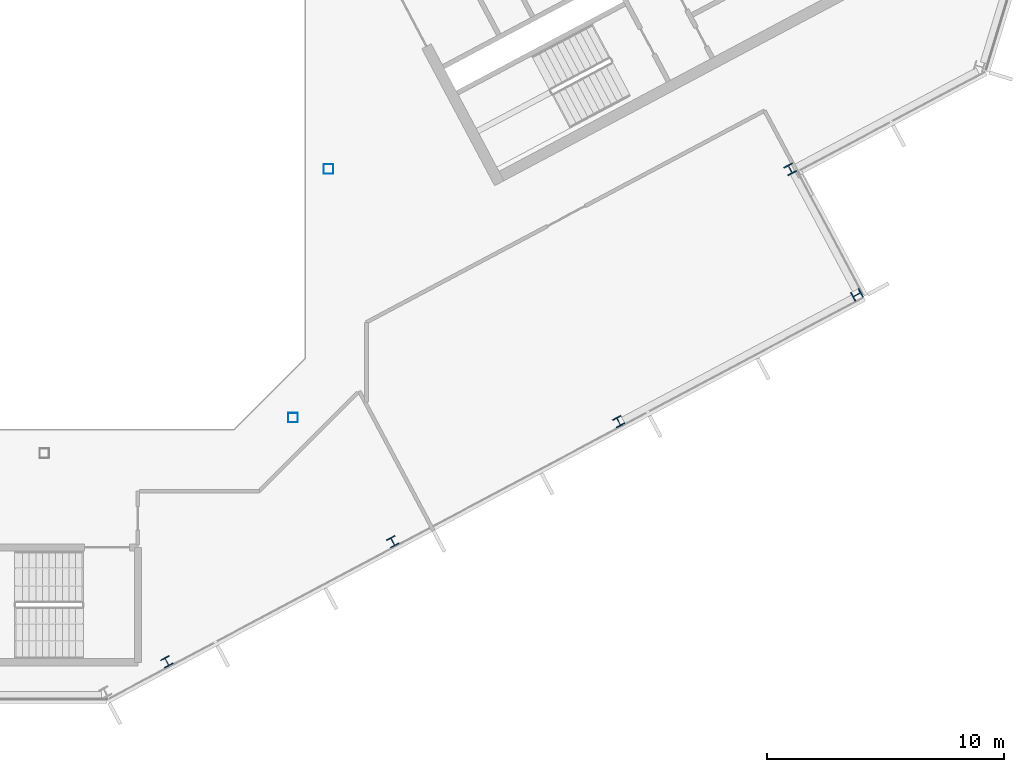
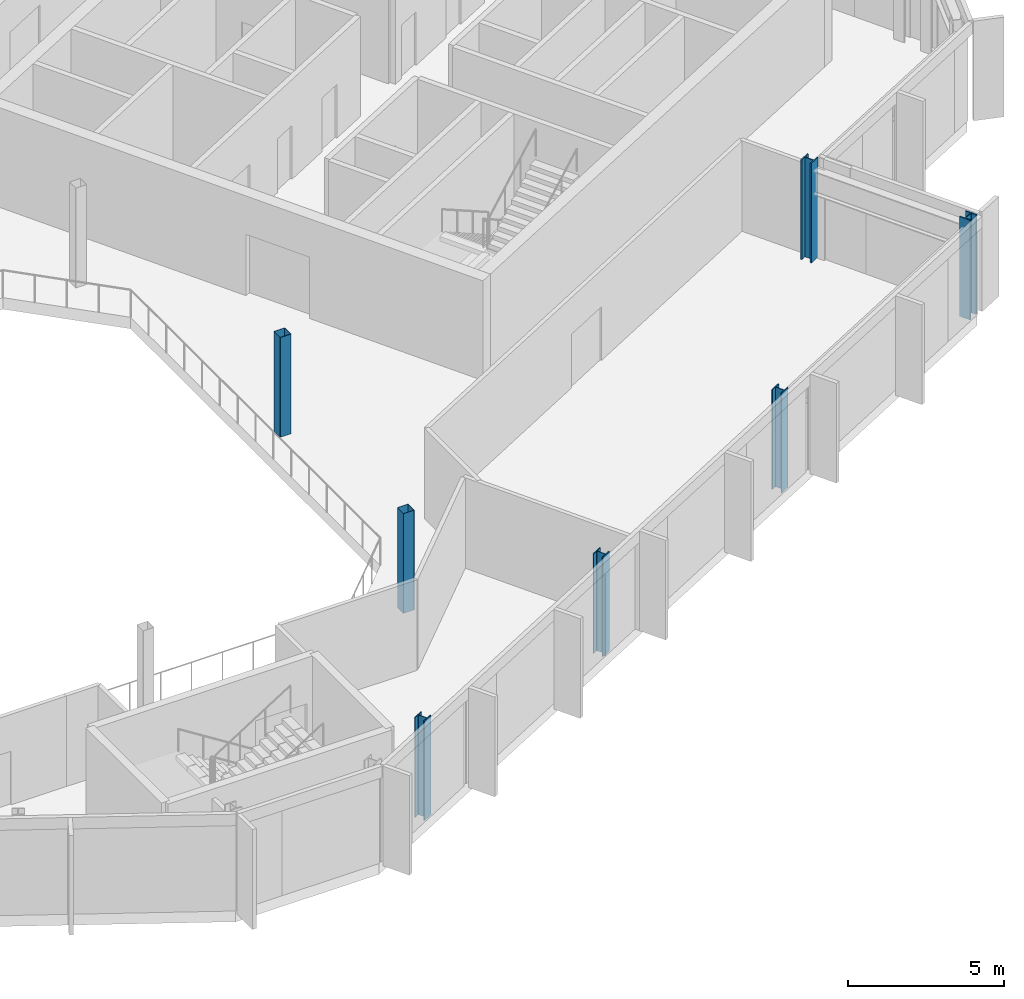
# One storey, part 5 of 26: 7 columns.
"""IFC4 building model written with IfcOpenShell, lengths in metres."""

import ifcopenshell
import ifcopenshell.guid

model = None  # the IFC model being written
_history = None  # IfcOwnerHistory: only IFC2X3 demands one
_inside = {}  # id of a spatial element -> (the spatial element, [elements in it])
_under = {}  # id of a project, library or spatial element -> (it, [spatial elements below it])
_declared = {}  # id of a project -> (the project, [libraries it declares])
_typed = {}  # id of a type object -> (the type object, [elements of that type])
_made_of = {}  # id of a material, layer set ... -> (it, [elements and type objects made of it])


def new_model(schema):
    """Start an empty IFC model of exactly this schema.

    Asked for "IFC4X3", IfcOpenShell would pick the latest addendum, in which some entities
    have other attributes; the version numbers below select the first issue.
    IFC2X3 requires an IfcOwnerHistory on every rooted entity: one is made here for all.
    """
    global model, _history
    if schema == "IFC4X3":
        model = ifcopenshell.file(schema_version=(4, 3, 0, 0))
    else:
        model = ifcopenshell.file(schema=schema)
    _inside.clear()
    _under.clear()
    _declared.clear()
    _typed.clear()
    _made_of.clear()
    _history = None
    if model.schema == "IFC2X3":
        org = make("IfcOrganization", Name="unknown")
        user = make(
            "IfcPersonAndOrganization",
            ThePerson=make("IfcPerson", FamilyName="unknown"),
            TheOrganization=org,
        )
        app = make(
            "IfcApplication",
            ApplicationDeveloper=org,
            Version="unknown",
            ApplicationFullName="unknown",
            ApplicationIdentifier="unknown",
        )
        _history = make(
            "IfcOwnerHistory",
            OwningUser=user,
            OwningApplication=app,
            ChangeAction="ADDED",
            CreationDate=0,
        )
    return model


def make(cls, **values):
    """One entity of the class cls with the attributes given. An attribute that is None is left unset."""
    return model.create_entity(
        cls, **{name: value for name, value in values.items() if value is not None}
    )


def rooted(cls, **values):
    """An entity with a GlobalId (a new one), such as an element, a storey or a relation."""
    return make(cls, GlobalId=ifcopenshell.guid.new(), OwnerHistory=_history, **values)


def si_unit(unit_type, name, prefix=None):
    """IfcSIUnit, for example si_unit("LENGTHUNIT", "METRE", prefix="MILLI")."""
    return make("IfcSIUnit", UnitType=unit_type, Prefix=prefix, Name=name)


def assignment(units):
    """IfcUnitAssignment: the units of a project."""
    return None if units is None else make("IfcUnitAssignment", Units=units)


def point(xyz):
    """IfcCartesianPoint."""
    return None if xyz is None else make("IfcCartesianPoint", Coordinates=xyz)


def direction(xyz):
    """IfcDirection."""
    return None if xyz is None else make("IfcDirection", DirectionRatios=xyz)


def frame(location, z_axis=None, x_axis=None):
    """IfcAxis2Placement3D, a coordinate frame: its origin and axes. An axis left out is left unset."""
    return make(
        "IfcAxis2Placement3D",
        Location=point(location),
        Axis=direction(z_axis),
        RefDirection=direction(x_axis),
    )


def frame_2d(location, x_axis=None):
    """IfcAxis2Placement2D, a coordinate frame in the plane: its origin and x axis."""
    return make(
        "IfcAxis2Placement2D", Location=point(location), RefDirection=direction(x_axis)
    )


def origin():
    """The frame at (0, 0, 0) with its axes left unset."""
    return frame((0.0, 0.0, 0.0))


def origin_2d():
    """The frame at (0, 0) in the plane with its x axis left unset."""
    return frame_2d((0.0, 0.0))


def place(relative_to, where):
    """IfcLocalPlacement: puts the frame where relative to a parent placement (None: the world)."""
    return make(
        "IfcLocalPlacement", PlacementRelTo=relative_to, RelativePlacement=where
    )


def context(
    kind, dimensions, precision=None, world=None, true_north=None, identifier=None
):
    """IfcGeometricRepresentationContext, for example the 3D "Model" context."""
    return make(
        "IfcGeometricRepresentationContext",
        ContextIdentifier=identifier,
        ContextType=kind,
        CoordinateSpaceDimension=dimensions,
        Precision=precision,
        WorldCoordinateSystem=world,
        TrueNorth=true_north,
    )


def subcontext(parent, identifier, kind, view, scale=None):
    """IfcGeometricRepresentationSubContext, for example "Body" below "Model"."""
    return make(
        "IfcGeometricRepresentationSubContext",
        ContextIdentifier=identifier,
        ContextType=kind,
        ParentContext=parent,
        TargetScale=scale,
        TargetView=view,
    )


def project(units=None, contexts=None):
    """IfcProject with its units and contexts."""
    return rooted(
        "IfcProject",
        Name="project",
        RepresentationContexts=contexts,
        UnitsInContext=assignment(units),
    )


def spatial(cls, under=None, at=None, **own):
    """A site, building, storey or space (cls), placed at a placement, below another one or the project."""
    s = rooted(cls, ObjectPlacement=at, **own)
    if under is not None:
        _under.setdefault(under.id(), (under, []))[1].append(s)
    return s


def profile(cls, at=None, kind="AREA", **sizes):
    """A parametric profile (cls). Its sizes go by their IFC names, for example OverallWidth=200.0."""
    return make(cls, ProfileType=kind, Position=at, **sizes)


def hollow_rectangle(**sizes):
    """IfcRectangleHollowProfileDef."""
    return profile("IfcRectangleHollowProfileDef", **sizes)


def i_section(**sizes):
    """IfcIShapeProfileDef."""
    return profile("IfcIShapeProfileDef", **sizes)


def extrude(swept, where, along, depth):
    """IfcExtrudedAreaSolid: the profile swept, set in the frame where, extruded along a direction by depth."""
    return make(
        "IfcExtrudedAreaSolid",
        SweptArea=swept,
        Position=where,
        ExtrudedDirection=direction(along),
        Depth=depth,
    )


def shape(context_of_items, identifier, shape_type, items):
    """IfcShapeRepresentation: the items that make up one representation, for example the "Body"."""
    return make(
        "IfcShapeRepresentation",
        ContextOfItems=context_of_items,
        RepresentationIdentifier=identifier,
        RepresentationType=shape_type,
        Items=items,
    )


def material(Name=None, Category=None):
    """IfcMaterial."""
    return make("IfcMaterial", Name=Name, Category=Category)


def material_profile(
    of_material, cross_section, Name=None, Category=None, Priority=None
):
    """IfcMaterialProfile: a cross section and its material."""
    return make(
        "IfcMaterialProfile",
        Name=Name,
        Material=of_material,
        Profile=cross_section,
        Priority=Priority,
        Category=Category,
    )


def profile_set(profiles, Name=None, composite=None):
    """IfcMaterialProfileSet."""
    return make(
        "IfcMaterialProfileSet",
        Name=Name,
        MaterialProfiles=profiles,
        CompositeProfile=composite,
    )


def made_of(thing, what):
    """Note that an element or type object is made of a material, layer set ...; save() writes the relation."""
    if what is not None:
        _made_of.setdefault(what.id(), (what, []))[1].append(thing)
    return thing


def type_object(cls, material=None, **own):
    """A type object (cls), such as IfcWallType, which elements share."""
    return made_of(rooted(cls, **own), material)


def element(
    cls,
    number,
    at=None,
    inside=None,
    cuts=None,
    type_object=None,
    material=None,
    context=None,
    identifier="Body",
    shape_type=None,
    held_by="IfcProductDefinitionShape",
    body=None,
    shapes=None,
    **own,
):
    """One element of the class cls, such as IfcWall. Its Tag is "e" and its number.

    at: its placement. inside: the storey or other place that contains it. cuts: it is an
    opening in that element (IfcRelVoidsElement). A single representation is given by context,
    identifier, shape_type and body (its items); several are given by shapes. held_by: the class
    of the entity that holds the representations. save() writes the other relations.
    """
    e = rooted(cls, Tag="e%d" % number, ObjectPlacement=at, **own)
    if body is not None:
        shapes = [shape(context, identifier, shape_type, body)]
    if shapes is not None:
        e.Representation = make(held_by, Representations=shapes)
    if inside is not None:
        _inside.setdefault(inside.id(), (inside, []))[1].append(e)
    if cuts is not None:
        rooted(
            "IfcRelVoidsElement", RelatingBuildingElement=cuts, RelatedOpeningElement=e
        )
    if type_object is not None:
        _typed.setdefault(type_object.id(), (type_object, []))[1].append(e)
    return made_of(e, material)


def aggregate(whole, parts):
    """IfcRelAggregates: a whole, such as a stair, and the parts it consists of."""
    return rooted("IfcRelAggregates", RelatingObject=whole, RelatedObjects=parts)


def save(model, path):
    """Write the relations noted so far, then the file.

    IfcRelAggregates (storeys below a building ...), IfcRelContainedInSpatialStructure (elements
    in a storey), IfcRelDefinesByType, IfcRelAssociatesMaterial and IfcRelDeclares: one each for
    every whole, place, type object, material and project.
    """
    for whole, parts in _under.values():
        aggregate(whole, parts)
    for where, things in _inside.values():
        rooted(
            "IfcRelContainedInSpatialStructure",
            RelatedElements=things,
            RelatingStructure=where,
        )
    for kind, things in _typed.values():
        rooted("IfcRelDefinesByType", RelatedObjects=things, RelatingType=kind)
    for what, things in _made_of.values():
        rooted("IfcRelAssociatesMaterial", RelatedObjects=things, RelatingMaterial=what)
    for by, libraries in _declared.values():
        rooted("IfcRelDeclares", RelatingContext=by, RelatedDefinitions=libraries)
    model.write(path)


model = new_model("IFC4")

# Units and contexts
model_context = context("Model", 3, precision=1e-05, world=origin(), true_north=direction((0.0, 1.0)))
body_context = subcontext(model_context, "Body", "Model", "MODEL_VIEW")
ifc_project = project(units=[si_unit("LENGTHUNIT", "METRE"), si_unit("AREAUNIT", "SQUARE_METRE"), si_unit("VOLUMEUNIT", "CUBIC_METRE"), si_unit("PLANEANGLEUNIT", "RADIAN"), si_unit("MASSUNIT", "GRAM", prefix="KILO")], contexts=[model_context])

# Site, building, storey
site_placement = place(None, origin())
site = spatial("IfcSite", under=ifc_project, at=site_placement, CompositionType="ELEMENT")
building_placement = place(site_placement, origin())
building = spatial("IfcBuilding", under=site, at=building_placement, Name="Cormorant Relay Tower", CompositionType="ELEMENT")
storey_placement = place(building_placement, frame((0.0, 0.0, 320.39990234375)))
storey = spatial("IfcBuildingStorey", under=building, at=storey_placement, Name="L73", CompositionType="ELEMENT", Elevation=320.39990234375)

# Columns
ifc_material_1 = material(Name="Steel ASTM A500 Grade C (Fy 345 MPa)", Category="steel")
ifc_material_profile_1 = material_profile(ifc_material_1, hollow_rectangle(XDim=0.406494140625, YDim=0.406494140625, WallThickness=0.0087890625, InnerFilletRadius=0.00439453125, OuterFilletRadius=0.01318359375, at=origin_2d()), Name="HSS406x406x9")
ifc_profile_set_1 = profile_set([ifc_material_profile_1], Name="Steel ASTM A500 Grade C (Fy 345 MPa)")
column_type_1 = type_object("IfcColumnType", Name="Column HSS406x406x9", PredefinedType="COLUMN", material=ifc_profile_set_1)
for number, where, z_axis, x_axis, name in (
    (1, (10.5, -10.5, 0.0), (0.0, 0.0, 1.0), (1.0, 0.0, 0.0), "Column L73-010"),
    (2, (12.0, 0.0, 0.0), (0.0, 0.0, 1.0), (1.0, 0.0, 0.0), "Column L73-016"),
):
    element("IfcColumn", number, at=place(storey_placement, frame(where, z_axis=z_axis, x_axis=x_axis)), inside=storey, type_object=column_type_1, Name=name, PredefinedType="COLUMN", context=body_context, shape_type="SweptSolid", body=[
        extrude(hollow_rectangle(XDim=0.406494140625, YDim=0.406494140625, WallThickness=0.0087890625, InnerFilletRadius=0.00439453125, OuterFilletRadius=0.01318359375, at=origin_2d()), origin(), (0.0, 0.0, 1.0), 3.900146484375),
    ])
ifc_material_2 = material(Name="Steel ASTM A992 (Fy 345 MPa)", Category="steel")
ifc_material_profile_2 = material_profile(ifc_material_2, i_section(OverallWidth=0.398681640625, OverallDepth=0.385986328125, WebThickness=0.02099609375, FlangeThickness=0.033203125, FilletRadius=0.01513671875, at=origin_2d()), Name="W360x262")
ifc_profile_set_2 = profile_set([ifc_material_profile_2], Name="Steel ASTM A992 (Fy 345 MPa)")
column_type_2 = type_object("IfcColumnType", Name="Column W360x262", PredefinedType="COLUMN", material=ifc_profile_set_2)
for number, where, z_axis, x_axis, name in (
    (3, (5.174072265625, -20.806884765625, 0.0), (0.0, 0.0, 1.0), (0.882947592859, 0.469471562786, 0.0), "Column L73-003"),
    (4, (14.7099609375, -15.736083984375, 0.0), (0.0, 0.0, 1.0), (0.882947592859, 0.469471562786, 0.0), "Column L73-005"),
    (5, (24.2451171875, -10.666015625, 0.0), (0.0, 0.0, 1.0), (0.882947592859, 0.469471562786, 0.0), "Column L73-008"),
):
    element("IfcColumn", number, at=place(storey_placement, frame(where, z_axis=z_axis, x_axis=x_axis)), inside=storey, type_object=column_type_2, Name=name, PredefinedType="COLUMN", context=body_context, shape_type="SweptSolid", body=[
        extrude(i_section(OverallWidth=0.398681640625, OverallDepth=0.385986328125, WebThickness=0.02099609375, FlangeThickness=0.033203125, FilletRadius=0.01513671875, at=origin_2d()), origin(), (0.0, 0.0, 1.0), 3.900146484375),
    ])
ifc_material_3 = material(Name="Steel ASTM A992 (Fy 345 MPa)", Category="steel")
ifc_material_profile_3 = material_profile(ifc_material_3, i_section(OverallWidth=0.40380859375, OverallDepth=0.406494140625, WebThickness=0.027099609375, FlangeThickness=0.043701171875, FilletRadius=0.01513671875, at=origin_2d()), Name="W360x347")
ifc_profile_set_3 = profile_set([ifc_material_profile_3], Name="Steel ASTM A992 (Fy 345 MPa)")
column_type_3 = type_object("IfcColumnType", Name="Column W360x347", PredefinedType="COLUMN", material=ifc_profile_set_3)
for number, where, z_axis, x_axis, name in (
    (6, (34.303955078125, -5.31201171875, 0.0), (0.0, 0.0, 1.0), (-0.469471562786, 0.882947592859, 0.0), "Column L73-012"),
    (7, (31.487060546875, -0.013916015625, 0.0), (0.0, 0.0, 1.0), (0.882947592859, 0.469471562786, 0.0), "Column L73-014"),
):
    element("IfcColumn", number, at=place(storey_placement, frame(where, z_axis=z_axis, x_axis=x_axis)), inside=storey, type_object=column_type_3, Name=name, PredefinedType="COLUMN", context=body_context, shape_type="SweptSolid", body=[
        extrude(i_section(OverallWidth=0.40380859375, OverallDepth=0.406494140625, WebThickness=0.027099609375, FlangeThickness=0.043701171875, FilletRadius=0.01513671875, at=origin_2d()), origin(), (0.0, 0.0, 1.0), 3.900146484375),
    ])

save(model, "model.ifc")
